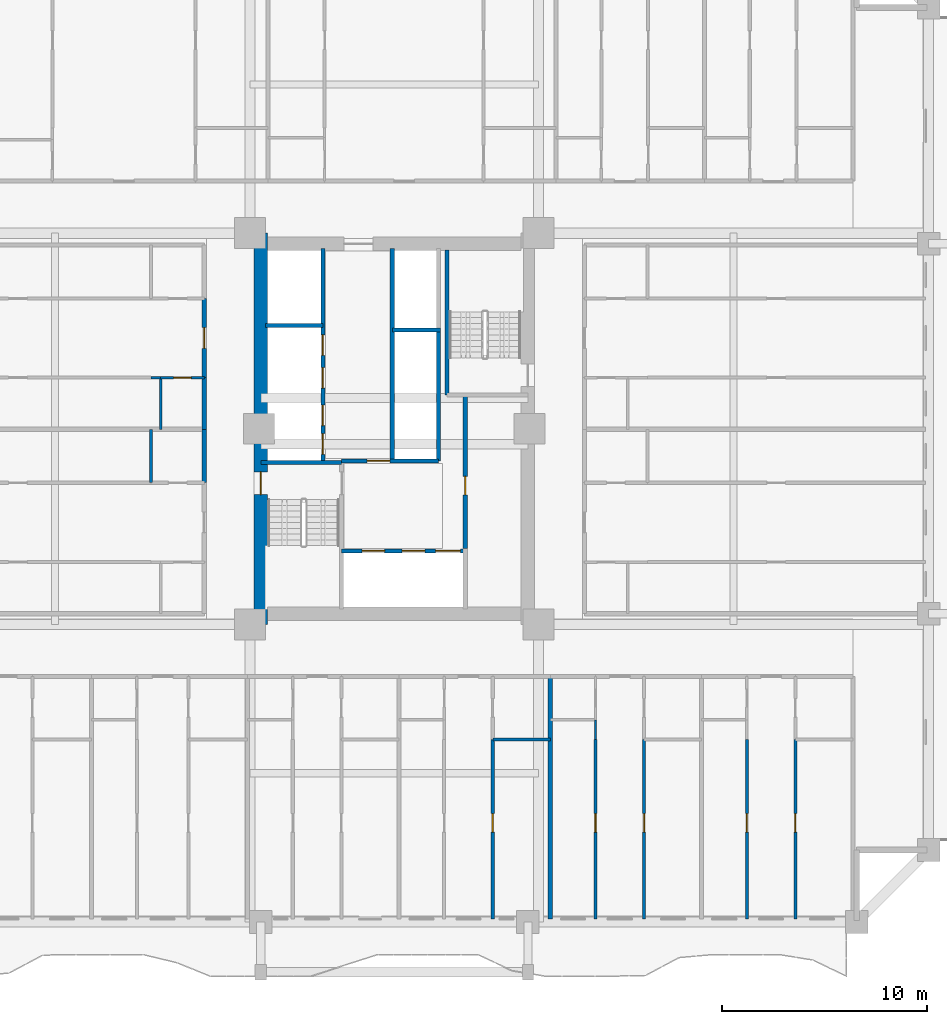
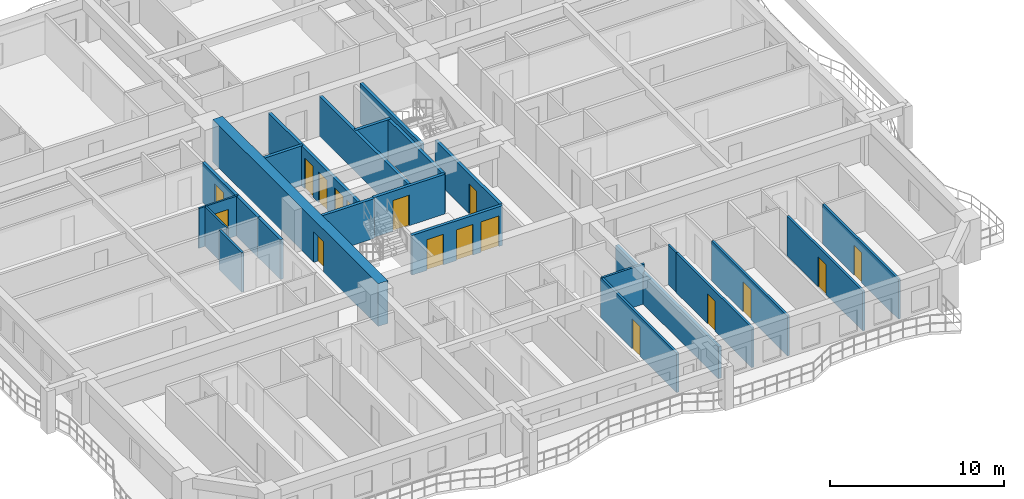
# One storey, part 5 of 17: 26 walls, 17 doors, 17 openings.
"""IFC4 building model written with IfcOpenShell, lengths in metres."""

from ifc_helpers import new_model, si_unit, direction, frame, frame_2d, origin, place, context, subcontext, project, spatial, rectangle, extrude, source, transform, mapped, material, layer, layer_set, type_object, element, fill, save


model = new_model("IFC4")

# Units and contexts
model_context = context("Model", 3, precision=1e-05, world=origin(), true_north=direction((0.0, 1.0)))
body_context = subcontext(model_context, "Body", "Model", "MODEL_VIEW")
ifc_project = project(units=[si_unit("LENGTHUNIT", "METRE"), si_unit("AREAUNIT", "SQUARE_METRE"), si_unit("VOLUMEUNIT", "CUBIC_METRE"), si_unit("PLANEANGLEUNIT", "RADIAN"), si_unit("MASSUNIT", "GRAM", prefix="KILO")], contexts=[model_context])

# Site, building, storey
site_placement = place(None, origin())
site = spatial("IfcSite", under=ifc_project, at=site_placement, CompositionType="ELEMENT")
building_placement = place(site_placement, origin())
building = spatial("IfcBuilding", under=site, at=building_placement, Name="Saelheon Loggia Tower", CompositionType="ELEMENT")
storey_placement = place(building_placement, frame((0.0, 0.0, 22.39990234375)))
storey = spatial("IfcBuildingStorey", under=building, at=storey_placement, Name="L06", CompositionType="ELEMENT", Elevation=22.39990234375)

# Wall, opening, door
ifc_material_1 = material(Name="Concrete C60/75", Category="concrete")
ifc_layer_1 = layer(ifc_material_1, 0.64990234375)
ifc_layer_set_1 = layer_set([ifc_layer_1], Name="Concrete C60/75")
wall_type_1 = type_object("IfcWallType", Name="Wall_CoreShear_650", PredefinedType="SHEAR", material=ifc_layer_set_1)
wall_1_placement = place(storey_placement, frame((31.5, 17.47998046875, 0.0), z_axis=(0.0, 0.0, 1.0), x_axis=(0.0, 1.0, 0.0)))
wall_1 = element("IfcWall", 1, at=wall_1_placement, inside=storey, type_object=wall_type_1, Name="L06 Core Shear Wall West", PredefinedType="SHEAR", context=body_context, shape_type="SweptSolid", body=[
    extrude(rectangle(XDim=19.0400390625, YDim=0.64990234375, at=frame_2d((9.52001953125, 0.0))), origin(), (0.0, 0.0, 1.0), 3.0),
])
opening_1_placement = place(wall_1_placement, frame((6.320068359375, 0.0, 0.0)))
opening_1 = element("IfcOpeningElement", 2, at=opening_1_placement, cuts=wall_1, Name="Opening D-FD2", PredefinedType="OPENING", context=body_context, shape_type="SweptSolid", body=[
    extrude(rectangle(XDim=1.10009765625, YDim=2.14990234375, at=frame_2d((0.550048828125, 1.074951171875))), frame((0.0, 0.3369140625, 0.0), z_axis=(0.0, -1.0, 0.0), x_axis=(1.0, 0.0, 0.0)), (0.0, 0.0, 1.0), 0.673828125),
])
ifc_material_2 = material(Name="Galvanised Steel Fire Door", Category="steel")
door_type_1 = type_object("IfcDoorType", Name="Door_Fire_FD60_1100", OperationType="NOTDEFINED", PredefinedType="DOOR", material=ifc_material_2)
shared_shape_1 = source(origin(), body_context, "Body", "SweptSolid", [
    extrude(rectangle(XDim=1.10009765625, YDim=2.14990234375, at=frame_2d((0.550048828125, 1.074951171875))), frame((0.0, 0.02490234375, 0.0), z_axis=(0.0, -1.0, 0.0), x_axis=(1.0, 0.0, 0.0)), (0.0, 0.0, 1.0), 0.050048828125),
])
door_1_placement = place(opening_1_placement, origin())
door_1 = element("IfcDoor", 3, at=door_1_placement, inside=storey, type_object=door_type_1, Name="L06 Stair ST1 Corridor Door", OperationType="SINGLE_SWING_LEFT", OverallHeight=2.14990234375, OverallWidth=1.10009765625, PredefinedType="DOOR", context=body_context, shape_type="MappedRepresentation", body=[
    mapped(shared_shape_1, transform((0.0, 0.0, 0.0), scale=1.0)),
])
fill(opening_1, door_1)

# Wall
ifc_material_3 = material(Name="Lightweight Autoclaved Aerated Concrete Block and Acoustic Gypsum", Category="concrete")
ifc_layer_2 = layer(ifc_material_3, 0.14990234375)
ifc_layer_set_2 = layer_set([ifc_layer_2], Name="Lightweight Autoclaved Aerated Concrete Block and Acoustic Gypsum")
wall_type_2 = type_object("IfcWallType", Name="Wall_Part_150", PredefinedType="PARTITIONING", material=ifc_layer_set_2)
wall_2_placement = place(storey_placement, frame((42.789794921875, 11.8798828125, 0.0), z_axis=(0.0, 0.0, 1.0), x_axis=(1.0, 0.0, 0.0)))
element("IfcWall", 4, at=wall_2_placement, inside=storey, type_object=wall_type_2, Name="L06 S Partition V40", PredefinedType="PARTITIONING", context=body_context, shape_type="SweptSolid", body=[
    extrude(rectangle(XDim=2.799072265625, YDim=0.14990234375, at=frame_2d((1.3994140625, 0.0))), origin(), (0.0, 0.0, 1.0), 2.7900390625),
])

# Wall, opening, door
wall_3_placement = place(storey_placement, frame((42.789794921875, 11.8798828125, 0.0), z_axis=(0.0, 0.0, 1.0), x_axis=(0.0, -1.0, 0.0)))
wall_3 = element("IfcWall", 5, at=wall_3_placement, inside=storey, type_object=wall_type_2, Name="L06 S Partition U45", PredefinedType="PARTITIONING", context=body_context, shape_type="SweptSolid", body=[
    extrude(rectangle(XDim=8.72998046875, YDim=0.14990234375, at=frame_2d((4.364990234375, 0.0))), origin(), (0.0, 0.0, 1.0), 2.7900390625),
])
opening_2_placement = place(wall_3_placement, frame((3.608642578125, 0.0, 0.0)))
opening_2 = element("IfcOpeningElement", 6, at=opening_2_placement, cuts=wall_3, Name="Opening D-IN2", PredefinedType="OPENING", context=body_context, shape_type="SweptSolid", body=[
    extrude(rectangle(XDim=0.89990234375, YDim=2.10009765625, at=frame_2d((0.449951171875, 1.050048828125))), frame((0.0, 0.0869140625, 0.0), z_axis=(0.0, -1.0, 0.0), x_axis=(1.0, 0.0, 0.0)), (0.0, 0.0, 1.0), 0.173828125),
])
ifc_material_4 = material(Name="Engineered Oak Flush Door", Category="timber")
door_type_2 = type_object("IfcDoorType", Name="Door_Int_900", OperationType="NOTDEFINED", PredefinedType="DOOR", material=ifc_material_4)
shared_shape_2 = source(origin(), body_context, "Body", "SweptSolid", [
    extrude(rectangle(XDim=0.89990234375, YDim=2.10009765625, at=frame_2d((0.449951171875, 1.050048828125))), frame((0.0, 0.02490234375, 0.0), z_axis=(0.0, -1.0, 0.0), x_axis=(1.0, 0.0, 0.0)), (0.0, 0.0, 1.0), 0.050048828125),
])
door_2_placement = place(opening_2_placement, origin())
door_2 = element("IfcDoor", 7, at=door_2_placement, inside=storey, type_object=door_type_2, Name="Unit U04 Bedroom 1 Door", OperationType="SINGLE_SWING_RIGHT", OverallHeight=2.10009765625, OverallWidth=0.89990234375, PredefinedType="DOOR", context=body_context, shape_type="MappedRepresentation", body=[
    mapped(shared_shape_2, transform((0.0, 0.0, 0.0), scale=1.0)),
])
fill(opening_2, door_2)

wall_4_placement = place(storey_placement, frame((47.788818359375, 11.8798828125, 0.0), z_axis=(0.0, 0.0, 1.0), x_axis=(0.0, -1.0, 0.0)))
wall_4 = element("IfcWall", 8, at=wall_4_placement, inside=storey, type_object=wall_type_2, Name="L06 S Partition U54", PredefinedType="PARTITIONING", context=body_context, shape_type="SweptSolid", body=[
    extrude(rectangle(XDim=8.72998046875, YDim=0.14990234375, at=frame_2d((4.364990234375, 0.0))), origin(), (0.0, 0.0, 1.0), 2.7900390625),
])
opening_3_placement = place(wall_4_placement, frame((3.608642578125, 0.0, 0.0)))
opening_3 = element("IfcOpeningElement", 9, at=opening_3_placement, cuts=wall_4, Name="Opening D-IN2", PredefinedType="OPENING", context=body_context, shape_type="SweptSolid", body=[
    extrude(rectangle(XDim=0.89990234375, YDim=2.10009765625, at=frame_2d((0.449951171875, 1.050048828125))), frame((0.0, 0.0869140625, 0.0), z_axis=(0.0, -1.0, 0.0), x_axis=(1.0, 0.0, 0.0)), (0.0, 0.0, 1.0), 0.173828125),
])
door_3_placement = place(opening_3_placement, origin())
door_3 = element("IfcDoor", 10, at=door_3_placement, inside=storey, type_object=door_type_2, Name="Unit U05 Kitchen Door", OperationType="SINGLE_SWING_LEFT", OverallHeight=2.10009765625, OverallWidth=0.89990234375, PredefinedType="DOOR", context=body_context, shape_type="MappedRepresentation", body=[
    mapped(shared_shape_2, transform((0.0, 0.0, 0.0), scale=1.0)),
])
fill(opening_3, door_3)

wall_5_placement = place(storey_placement, frame((50.155517578125, 11.8798828125, 0.0), z_axis=(0.0, 0.0, 1.0), x_axis=(0.0, -1.0, 0.0)))
wall_5 = element("IfcWall", 11, at=wall_5_placement, inside=storey, type_object=wall_type_2, Name="L06 S Partition U56", PredefinedType="PARTITIONING", context=body_context, shape_type="SweptSolid", body=[
    extrude(rectangle(XDim=8.72998046875, YDim=0.14990234375, at=frame_2d((4.364990234375, 0.0))), origin(), (0.0, 0.0, 1.0), 2.7900390625),
])
opening_4_placement = place(wall_5_placement, frame((3.608642578125, 0.0, 0.0)))
opening_4 = element("IfcOpeningElement", 12, at=opening_4_placement, cuts=wall_5, Name="Opening D-IN2", PredefinedType="OPENING", context=body_context, shape_type="SweptSolid", body=[
    extrude(rectangle(XDim=0.89990234375, YDim=2.10009765625, at=frame_2d((0.449951171875, 1.050048828125))), frame((0.0, 0.0869140625, 0.0), z_axis=(0.0, -1.0, 0.0), x_axis=(1.0, 0.0, 0.0)), (0.0, 0.0, 1.0), 0.173828125),
])
door_4_placement = place(opening_4_placement, origin())
door_4 = element("IfcDoor", 13, at=door_4_placement, inside=storey, type_object=door_type_2, Name="Unit U05 Bedroom 1 Door", OperationType="SINGLE_SWING_LEFT", OverallHeight=2.10009765625, OverallWidth=0.89990234375, PredefinedType="DOOR", context=body_context, shape_type="MappedRepresentation", body=[
    mapped(shared_shape_2, transform((0.0, 0.0, 0.0), scale=1.0)),
])
fill(opening_4, door_4)

wall_6_placement = place(storey_placement, frame((55.154296875, 11.8798828125, 0.0), z_axis=(0.0, 0.0, 1.0), x_axis=(0.0, -1.0, 0.0)))
wall_6 = element("IfcWall", 14, at=wall_6_placement, inside=storey, type_object=wall_type_2, Name="L06 S Partition U65", PredefinedType="PARTITIONING", context=body_context, shape_type="SweptSolid", body=[
    extrude(rectangle(XDim=8.72998046875, YDim=0.14990234375, at=frame_2d((4.364990234375, 0.0))), origin(), (0.0, 0.0, 1.0), 2.7900390625),
])
opening_5_placement = place(wall_6_placement, frame((3.608642578125, 0.0, 0.0)))
opening_5 = element("IfcOpeningElement", 15, at=opening_5_placement, cuts=wall_6, Name="Opening D-IN2", PredefinedType="OPENING", context=body_context, shape_type="SweptSolid", body=[
    extrude(rectangle(XDim=0.89990234375, YDim=2.10009765625, at=frame_2d((0.449951171875, 1.050048828125))), frame((0.0, 0.0869140625, 0.0), z_axis=(0.0, -1.0, 0.0), x_axis=(1.0, 0.0, 0.0)), (0.0, 0.0, 1.0), 0.173828125),
])
door_5_placement = place(opening_5_placement, origin())
door_5 = element("IfcDoor", 16, at=door_5_placement, inside=storey, type_object=door_type_2, Name="Unit U06 Kitchen Door", OperationType="SINGLE_SWING_RIGHT", OverallHeight=2.10009765625, OverallWidth=0.89990234375, PredefinedType="DOOR", context=body_context, shape_type="MappedRepresentation", body=[
    mapped(shared_shape_2, transform((0.0, 0.0, 0.0), scale=1.0)),
])
fill(opening_5, door_5)

wall_7_placement = place(storey_placement, frame((57.52099609375, 11.8798828125, 0.0), z_axis=(0.0, 0.0, 1.0), x_axis=(0.0, -1.0, 0.0)))
wall_7 = element("IfcWall", 17, at=wall_7_placement, inside=storey, type_object=wall_type_2, Name="L06 S Partition U67", PredefinedType="PARTITIONING", context=body_context, shape_type="SweptSolid", body=[
    extrude(rectangle(XDim=8.72998046875, YDim=0.14990234375, at=frame_2d((4.364990234375, 0.0))), origin(), (0.0, 0.0, 1.0), 2.7900390625),
])
opening_6_placement = place(wall_7_placement, frame((3.608642578125, 0.0, 0.0)))
opening_6 = element("IfcOpeningElement", 18, at=opening_6_placement, cuts=wall_7, Name="Opening D-IN2", PredefinedType="OPENING", context=body_context, shape_type="SweptSolid", body=[
    extrude(rectangle(XDim=0.89990234375, YDim=2.10009765625, at=frame_2d((0.449951171875, 1.050048828125))), frame((0.0, 0.0869140625, 0.0), z_axis=(0.0, -1.0, 0.0), x_axis=(1.0, 0.0, 0.0)), (0.0, 0.0, 1.0), 0.173828125),
])
door_6_placement = place(opening_6_placement, origin())
door_6 = element("IfcDoor", 19, at=door_6_placement, inside=storey, type_object=door_type_2, Name="Unit U06 Bedroom 1 Door", OperationType="SINGLE_SWING_RIGHT", OverallHeight=2.10009765625, OverallWidth=0.89990234375, PredefinedType="DOOR", context=body_context, shape_type="MappedRepresentation", body=[
    mapped(shared_shape_2, transform((0.0, 0.0, 0.0), scale=1.0)),
])
fill(opening_6, door_6)

# Walls
wall_8_placement = place(storey_placement, frame((26.159912109375, 24.375, 0.0), z_axis=(0.0, 0.0, 1.0), x_axis=(0.0, 1.0, 0.0)))
element("IfcWall", 20, at=wall_8_placement, inside=storey, type_object=wall_type_2, Name="L06 W Partition V07", PredefinedType="PARTITIONING", context=body_context, shape_type="SweptSolid", body=[
    extrude(rectangle(XDim=2.60009765625, YDim=0.14990234375, at=frame_2d((1.300048828125, 0.0))), origin(), (0.0, 0.0, 1.0), 2.7900390625),
])
ifc_material_5 = material(Name="Double Acoustic Stud and Fireboard Partition", Category="gypsum")
ifc_layer_3 = layer(ifc_material_5, 0.199951171875)
ifc_layer_set_3 = layer_set([ifc_layer_3], Name="Double Acoustic Stud and Fireboard Partition")
wall_type_3 = type_object("IfcWallType", Name="Wall_Party_200", PredefinedType="PARTITIONING", material=ifc_layer_set_3)
wall_9_placement = place(storey_placement, frame((45.5888671875, 14.949951171875, 0.0), z_axis=(0.0, 0.0, 1.0), x_axis=(0.0, -1.0, 0.0)))
element("IfcWall", 21, at=wall_9_placement, inside=storey, type_object=wall_type_3, Name="L06 S Partition U46", PredefinedType="PARTITIONING", context=body_context, shape_type="SweptSolid", body=[
    extrude(rectangle(XDim=11.800048828125, YDim=0.199951171875, at=frame_2d((5.89990234375, 0.0))), origin(), (0.0, 0.0, 1.0), 2.239990234375),
])
wall_10_placement = place(storey_placement, frame((28.75, 24.375, 0.0), z_axis=(0.0, 0.0, 1.0), x_axis=(0.0, 1.0, 0.0)))
element("IfcWall", 22, at=wall_10_placement, inside=storey, type_object=wall_type_3, Name="L06 W Partition V05", PredefinedType="PARTITIONING", context=body_context, shape_type="SweptSolid", body=[
    extrude(rectangle(XDim=2.60009765625, YDim=0.199951171875, at=frame_2d((1.300048828125, 0.0))), origin(), (0.0, 0.0, 1.0), 2.7900390625),
])
wall_11_placement = place(storey_placement, frame((28.75, 26.97509765625, 0.0), z_axis=(0.0, 0.0, 1.0), x_axis=(0.0, 1.0, 0.0)))
element("IfcWall", 23, at=wall_11_placement, inside=storey, type_object=wall_type_3, Name="L06 W Partition V14", PredefinedType="PARTITIONING", context=body_context, shape_type="SweptSolid", body=[
    extrude(rectangle(XDim=2.512939453125, YDim=0.199951171875, at=frame_2d((1.25634765625, 0.0))), origin(), (0.0, 0.0, 1.0), 2.7900390625),
])

# Wall, opening, door
wall_12_placement = place(storey_placement, frame((28.75, 29.488037109375, 0.0), z_axis=(0.0, 0.0, 1.0), x_axis=(0.0, 1.0, 0.0)))
wall_12 = element("IfcWall", 24, at=wall_12_placement, inside=storey, type_object=wall_type_3, Name="L06 W Partition V15", PredefinedType="PARTITIONING", context=body_context, shape_type="SweptSolid", body=[
    extrude(rectangle(XDim=3.862060546875, YDim=0.199951171875, at=frame_2d((1.93115234375, 0.0))), origin(), (0.0, 0.0, 1.0), 2.7900390625),
])
opening_7_placement = place(wall_12_placement, frame((1.430908203125, 0.0, 0.0)))
opening_7 = element("IfcOpeningElement", 25, at=opening_7_placement, cuts=wall_12, Name="Opening D-FD1", PredefinedType="OPENING", context=body_context, shape_type="SweptSolid", body=[
    extrude(rectangle(XDim=1.0, YDim=2.14990234375, at=frame_2d((0.5, 1.074951171875))), frame((0.0, 0.112060546875, 0.0), z_axis=(0.0, -1.0, 0.0), x_axis=(1.0, 0.0, 0.0)), (0.0, 0.0, 1.0), 0.223876953125),
])
ifc_material_6 = material(Name="Fire-Rated Engineered Timber Entrance Door", Category="wood")
door_type_3 = type_object("IfcDoorType", Name="Door_Flat_FD30S", OperationType="NOTDEFINED", PredefinedType="DOOR", material=ifc_material_6)
shared_shape_3 = source(origin(), body_context, "Body", "SweptSolid", [
    extrude(rectangle(XDim=1.0, YDim=2.14990234375, at=frame_2d((0.5, 1.074951171875))), frame((0.0, 0.02490234375, 0.0), z_axis=(0.0, -1.0, 0.0), x_axis=(1.0, 0.0, 0.0)), (0.0, 0.0, 1.0), 0.050048828125),
])
door_7_placement = place(opening_7_placement, origin())
door_7 = element("IfcDoor", 26, at=door_7_placement, inside=storey, type_object=door_type_3, Name="Unit U12 Entrance Door", OperationType="SINGLE_SWING_LEFT", OverallHeight=2.14990234375, OverallWidth=1.0, PredefinedType="DOOR", context=body_context, shape_type="MappedRepresentation", body=[
    mapped(shared_shape_3, transform((0.0, 0.0, 0.0), scale=1.0)),
])
fill(opening_7, door_7)

ifc_material_7 = material(Name="Concrete C40/50", Category="concrete")
ifc_layer_4 = layer(ifc_material_7, 0.199951171875)
ifc_layer_set_4 = layer_set([ifc_layer_4], Name="Concrete C40/50")
wall_type_4 = type_object("IfcWallType", Name="Wall_Shaft_200", PredefinedType="PARTITIONING", material=ifc_layer_set_4)
wall_13_placement = place(storey_placement, frame((41.449951171875, 21.179931640625, 0.0), z_axis=(0.0, 0.0, 1.0), x_axis=(0.0, 1.0, 0.0)))
wall_13 = element("IfcWall", 27, at=wall_13_placement, inside=storey, type_object=wall_type_4, Name="CW-INT-L06-BOH-W1", PredefinedType="PARTITIONING", context=body_context, shape_type="SweptSolid", body=[
    extrude(rectangle(XDim=7.420166015625, YDim=0.199951171875, at=frame_2d((3.7099609375, 0.0))), origin(), (0.0, 0.0, 1.0), 2.7900390625),
])
opening_8_placement = place(wall_13_placement, frame((2.60009765625, 0.0, 0.0)))
opening_8 = element("IfcOpeningElement", 28, at=opening_8_placement, cuts=wall_13, Name="Opening D-RS1", PredefinedType="OPENING", context=body_context, shape_type="SweptSolid", body=[
    extrude(rectangle(XDim=0.89990234375, YDim=2.10009765625, at=frame_2d((0.449951171875, 1.050048828125))), frame((0.0, 0.112060546875, 0.0), z_axis=(0.0, -1.0, 0.0), x_axis=(1.0, 0.0, 0.0)), (0.0, 0.0, 1.0), 0.223876953125),
])
ifc_material_8 = material(Name="Galvanised Steel Riser Access Door", Category="steel")
door_type_4 = type_object("IfcDoorType", Name="Door_Riser_FD60", OperationType="NOTDEFINED", PredefinedType="DOOR", material=ifc_material_8)
door_8_placement = place(opening_8_placement, origin())
door_8 = element("IfcDoor", 29, at=door_8_placement, inside=storey, type_object=door_type_4, Name="L06 Core Service Store Door", OperationType="SINGLE_SWING_RIGHT", OverallHeight=2.10009765625, OverallWidth=0.89990234375, PredefinedType="DOOR", context=body_context, shape_type="MappedRepresentation", body=[
    mapped(shared_shape_2, transform((0.0, 0.0, 0.0), scale=1.0)),
])
fill(opening_8, door_8)

# Wall
wall_14_placement = place(storey_placement, frame((40.14990234375, 25.43994140625, 0.0), z_axis=(0.0, 0.0, 1.0), x_axis=(0.0, 1.0, 0.0)))
element("IfcWall", 30, at=wall_14_placement, inside=storey, type_object=wall_type_4, Name="L06 Core Service Passage West Wall", PredefinedType="PARTITIONING", context=body_context, shape_type="SweptSolid", body=[
    extrude(rectangle(XDim=6.360107421875, YDim=0.199951171875, at=frame_2d((3.18017578125, 0.0))), origin(), (0.0, 0.0, 1.0), 2.7900390625),
])

# Wall, openings, doors
wall_15_placement = place(storey_placement, frame((35.429931640625, 21.06005859375, 0.0), z_axis=(0.0, 0.0, 1.0), x_axis=(1.0, 0.0, 0.0)))
wall_15 = element("IfcWall", 31, at=wall_15_placement, inside=storey, type_object=wall_type_4, Name="L06 Firefighting Lift Shaft Front Wall", PredefinedType="PARTITIONING", context=body_context, shape_type="SweptSolid", body=[
    extrude(rectangle(XDim=6.02001953125, YDim=0.199951171875, at=frame_2d((3.010009765625, 0.0))), origin(), (0.0, 0.0, 1.0), 2.7900390625),
])
opening_9_placement = place(wall_15_placement, frame((1.0, 0.0, 0.0)))
opening_9 = element("IfcOpeningElement", 32, at=opening_9_placement, cuts=wall_15, Name="Opening LD2", PredefinedType="OPENING", context=body_context, shape_type="SweptSolid", body=[
    extrude(rectangle(XDim=1.10009765625, YDim=2.14990234375, at=frame_2d((0.550048828125, 1.074951171875))), frame((0.0, 0.112060546875, 0.0), z_axis=(0.0, -1.0, 0.0), x_axis=(1.0, 0.0, 0.0)), (0.0, 0.0, 1.0), 0.223876953125),
])
opening_10_placement = place(wall_15_placement, frame((2.949951171875, 0.0, 0.0)))
opening_10 = element("IfcOpeningElement", 33, at=opening_10_placement, cuts=wall_15, Name="Opening LD2", PredefinedType="OPENING", context=body_context, shape_type="SweptSolid", body=[
    extrude(rectangle(XDim=1.10009765625, YDim=2.14990234375, at=frame_2d((0.550048828125, 1.074951171875))), frame((0.0, 0.112060546875, 0.0), z_axis=(0.0, -1.0, 0.0), x_axis=(1.0, 0.0, 0.0)), (0.0, 0.0, 1.0), 0.223876953125),
])
opening_11_placement = place(wall_15_placement, frame((4.580078125, 0.0, 0.0)))
opening_11 = element("IfcOpeningElement", 34, at=opening_11_placement, cuts=wall_15, Name="Opening LD3", PredefinedType="OPENING", context=body_context, shape_type="SweptSolid", body=[
    extrude(rectangle(XDim=1.199951171875, YDim=2.14990234375, at=frame_2d((0.60009765625, 1.074951171875))), frame((0.0, 0.112060546875, 0.0), z_axis=(0.0, -1.0, 0.0), x_axis=(1.0, 0.0, 0.0)), (0.0, 0.0, 1.0), 0.223876953125),
])
ifc_material_9 = material(Name="Firefighting Stainless Steel 316 Landing Door", Category="steel")
door_type_5 = type_object("IfcDoorType", Name="Door_Lift_LD2", OperationType="DOUBLE_DOOR_SLIDING", PredefinedType="DOOR", material=ifc_material_9)
door_9_placement = place(opening_9_placement, origin())
door_9 = element("IfcDoor", 35, at=door_9_placement, inside=storey, type_object=door_type_5, Name="L06 FF1 Landing Door", OperationType="DOUBLE_DOOR_SLIDING", OverallHeight=2.14990234375, OverallWidth=1.10009765625, PredefinedType="DOOR", context=body_context, shape_type="MappedRepresentation", body=[
    mapped(shared_shape_1, transform((0.0, 0.0, 0.0), scale=1.0)),
])
fill(opening_9, door_9)
door_10_placement = place(opening_10_placement, origin())
door_10 = element("IfcDoor", 36, at=door_10_placement, inside=storey, type_object=door_type_5, Name="L06 FF2 Landing Door", OperationType="DOUBLE_DOOR_SLIDING", OverallHeight=2.14990234375, OverallWidth=1.10009765625, PredefinedType="DOOR", context=body_context, shape_type="MappedRepresentation", body=[
    mapped(shared_shape_1, transform((0.0, 0.0, 0.0), scale=1.0)),
])
fill(opening_10, door_10)
ifc_material_10 = material(Name="Stretcher Lift Stainless Steel 304 Landing Door", Category="steel")
door_type_6 = type_object("IfcDoorType", Name="Door_Lift_LD3", OperationType="DOUBLE_DOOR_SLIDING", PredefinedType="DOOR", material=ifc_material_10)
shared_shape_4 = source(origin(), body_context, "Body", "SweptSolid", [
    extrude(rectangle(XDim=1.199951171875, YDim=2.14990234375, at=frame_2d((0.60009765625, 1.074951171875))), frame((0.0, 0.02490234375, 0.0), z_axis=(0.0, -1.0, 0.0), x_axis=(1.0, 0.0, 0.0)), (0.0, 0.0, 1.0), 0.050048828125),
])
door_11_placement = place(opening_11_placement, origin())
door_11 = element("IfcDoor", 37, at=door_11_placement, inside=storey, type_object=door_type_6, Name="L06 SV1 Landing Door", OperationType="DOUBLE_DOOR_SLIDING", OverallHeight=2.14990234375, OverallWidth=1.199951171875, PredefinedType="DOOR", context=body_context, shape_type="MappedRepresentation", body=[
    mapped(shared_shape_4, transform((0.0, 0.0, 0.0), scale=1.0)),
])
fill(opening_11, door_11)

# Wall, opening, door
wall_16_placement = place(storey_placement, frame((35.429931640625, 25.43994140625, 0.0), z_axis=(0.0, 0.0, 1.0), x_axis=(1.0, 0.0, 0.0)))
wall_16 = element("IfcWall", 38, at=wall_16_placement, inside=storey, type_object=wall_type_4, Name="L06 Firefighting Lobby Compartment Wall", PredefinedType="PARTITIONING", context=body_context, shape_type="SweptSolid", body=[
    extrude(rectangle(XDim=4.719970703125, YDim=0.199951171875, at=frame_2d((2.35986328125, 0.0))), origin(), (0.0, 0.0, 1.0), 2.7900390625),
])
opening_12_placement = place(wall_16_placement, frame((1.25, 0.0, 0.0)))
opening_12 = element("IfcOpeningElement", 39, at=opening_12_placement, cuts=wall_16, Name="Opening D-FD2", PredefinedType="OPENING", context=body_context, shape_type="SweptSolid", body=[
    extrude(rectangle(XDim=1.10009765625, YDim=2.14990234375, at=frame_2d((0.550048828125, 1.074951171875))), frame((0.0, 0.112060546875, 0.0), z_axis=(0.0, -1.0, 0.0), x_axis=(1.0, 0.0, 0.0)), (0.0, 0.0, 1.0), 0.223876953125),
])
door_12_placement = place(opening_12_placement, origin())
door_12 = element("IfcDoor", 40, at=door_12_placement, inside=storey, type_object=door_type_1, Name="L06 Firefighting Lobby Door", OperationType="SINGLE_SWING_LEFT", OverallHeight=2.14990234375, OverallWidth=1.10009765625, PredefinedType="DOOR", context=body_context, shape_type="MappedRepresentation", body=[
    mapped(shared_shape_1, transform((0.0, 0.0, 0.0), scale=1.0)),
])
fill(opening_12, door_12)

# Wall, openings, doors
wall_17_placement = place(storey_placement, frame((34.52001953125, 25.43994140625, 0.0), z_axis=(0.0, 0.0, 1.0), x_axis=(0.0, 1.0, 0.0)))
wall_17 = element("IfcWall", 41, at=wall_17_placement, inside=storey, type_object=wall_type_4, Name="L06 West Passenger Lift Bank Wall", PredefinedType="PARTITIONING", context=body_context, shape_type="SweptSolid", body=[
    extrude(rectangle(XDim=10.340087890625, YDim=0.199951171875, at=frame_2d((5.169921875, 0.0))), origin(), (0.0, 0.0, 1.0), 2.7900390625),
])
opening_13_placement = place(wall_17_placement, frame((0.320068359375, 0.0, 0.0)))
opening_13 = element("IfcOpeningElement", 42, at=opening_13_placement, cuts=wall_17, Name="Opening LD1", PredefinedType="OPENING", context=body_context, shape_type="SweptSolid", body=[
    extrude(rectangle(XDim=1.0, YDim=2.14990234375, at=frame_2d((0.5, 1.074951171875))), frame((0.0, 0.112060546875, 0.0), z_axis=(0.0, -1.0, 0.0), x_axis=(1.0, 0.0, 0.0)), (0.0, 0.0, 1.0), 0.223876953125),
])
opening_14_placement = place(wall_17_placement, frame((1.7099609375, 0.0, 0.0)))
opening_14 = element("IfcOpeningElement", 43, at=opening_14_placement, cuts=wall_17, Name="Opening LD1", PredefinedType="OPENING", context=body_context, shape_type="SweptSolid", body=[
    extrude(rectangle(XDim=1.0, YDim=2.14990234375, at=frame_2d((0.5, 1.074951171875))), frame((0.0, 0.112060546875, 0.0), z_axis=(0.0, -1.0, 0.0), x_axis=(1.0, 0.0, 0.0)), (0.0, 0.0, 1.0), 0.223876953125),
])
opening_15_placement = place(wall_17_placement, frame((3.534912109375, 0.0, 0.0)))
opening_15 = element("IfcOpeningElement", 44, at=opening_15_placement, cuts=wall_17, Name="Opening LD1", PredefinedType="OPENING", context=body_context, shape_type="SweptSolid", body=[
    extrude(rectangle(XDim=1.0, YDim=2.14990234375, at=frame_2d((0.5, 1.074951171875))), frame((0.0, 0.112060546875, 0.0), z_axis=(0.0, -1.0, 0.0), x_axis=(1.0, 0.0, 0.0)), (0.0, 0.0, 1.0), 0.223876953125),
])
opening_16_placement = place(wall_17_placement, frame((5.135009765625, 0.0, 0.0)))
opening_16 = element("IfcOpeningElement", 45, at=opening_16_placement, cuts=wall_17, Name="Opening LD1", PredefinedType="OPENING", context=body_context, shape_type="SweptSolid", body=[
    extrude(rectangle(XDim=1.0, YDim=2.14990234375, at=frame_2d((0.5, 1.074951171875))), frame((0.0, 0.112060546875, 0.0), z_axis=(0.0, -1.0, 0.0), x_axis=(1.0, 0.0, 0.0)), (0.0, 0.0, 1.0), 0.223876953125),
])
ifc_material_11 = material(Name="Brushed Stainless Steel 304 Landing Door", Category="steel")
door_type_7 = type_object("IfcDoorType", Name="Door_Lift_LD1", OperationType="DOUBLE_DOOR_SLIDING", PredefinedType="DOOR", material=ifc_material_11)
door_13_placement = place(opening_13_placement, origin())
door_13 = element("IfcDoor", 46, at=door_13_placement, inside=storey, type_object=door_type_7, Name="L06 PL1 Landing Door", OperationType="DOUBLE_DOOR_SLIDING", OverallHeight=2.14990234375, OverallWidth=1.0, PredefinedType="DOOR", context=body_context, shape_type="MappedRepresentation", body=[
    mapped(shared_shape_3, transform((0.0, 0.0, 0.0), scale=1.0)),
])
fill(opening_13, door_13)
door_14_placement = place(opening_14_placement, origin())
door_14 = element("IfcDoor", 47, at=door_14_placement, inside=storey, type_object=door_type_7, Name="L06 PL2 Landing Door", OperationType="DOUBLE_DOOR_SLIDING", OverallHeight=2.14990234375, OverallWidth=1.0, PredefinedType="DOOR", context=body_context, shape_type="MappedRepresentation", body=[
    mapped(shared_shape_3, transform((0.0, 0.0, 0.0), scale=1.0)),
])
fill(opening_14, door_14)
door_15_placement = place(opening_15_placement, origin())
door_15 = element("IfcDoor", 48, at=door_15_placement, inside=storey, type_object=door_type_7, Name="L06 PL3 Landing Door", OperationType="DOUBLE_DOOR_SLIDING", OverallHeight=2.14990234375, OverallWidth=1.0, PredefinedType="DOOR", context=body_context, shape_type="MappedRepresentation", body=[
    mapped(shared_shape_3, transform((0.0, 0.0, 0.0), scale=1.0)),
])
fill(opening_15, door_15)
door_16_placement = place(opening_16_placement, origin())
door_16 = element("IfcDoor", 49, at=door_16_placement, inside=storey, type_object=door_type_7, Name="L06 PL4 Landing Door", OperationType="DOUBLE_DOOR_SLIDING", OverallHeight=2.14990234375, OverallWidth=1.0, PredefinedType="DOOR", context=body_context, shape_type="MappedRepresentation", body=[
    mapped(shared_shape_3, transform((0.0, 0.0, 0.0), scale=1.0)),
])
fill(opening_16, door_16)

# Walls
wall_18_placement = place(storey_placement, frame((31.719970703125, 32.02001953125, 0.0), z_axis=(0.0, 0.0, 1.0), x_axis=(1.0, 0.0, 0.0)))
element("IfcWall", 50, at=wall_18_placement, inside=storey, type_object=wall_type_4, Name="L06 West High-Rise Shaft Divider", PredefinedType="PARTITIONING", context=body_context, shape_type="SweptSolid", body=[
    extrude(rectangle(XDim=2.800048828125, YDim=0.199951171875, at=frame_2d((1.39990234375, 0.0))), origin(), (0.0, 0.0, 1.0), 2.7900390625),
])
wall_19_placement = place(storey_placement, frame((37.89990234375, 25.43994140625, 0.0), z_axis=(0.0, 0.0, 1.0), x_axis=(0.0, 1.0, 0.0)))
element("IfcWall", 51, at=wall_19_placement, inside=storey, type_object=wall_type_4, Name="L06 East Passenger Lift Bank Wall", PredefinedType="PARTITIONING", context=body_context, shape_type="SweptSolid", body=[
    extrude(rectangle(XDim=10.340087890625, YDim=0.199951171875, at=frame_2d((5.169921875, 0.0))), origin(), (0.0, 0.0, 1.0), 2.7900390625),
])
wall_20_placement = place(storey_placement, frame((37.89990234375, 31.800048828125, 0.0), z_axis=(0.0, 0.0, 1.0), x_axis=(1.0, 0.0, 0.0)))
element("IfcWall", 52, at=wall_20_placement, inside=storey, type_object=wall_type_4, Name="L06 East High-Rise Shaft Divider", PredefinedType="PARTITIONING", context=body_context, shape_type="SweptSolid", body=[
    extrude(rectangle(XDim=2.35009765625, YDim=0.199951171875, at=frame_2d((1.175048828125, 0.0))), origin(), (0.0, 0.0, 1.0), 2.7900390625),
])
ifc_material_12 = material(Name="Concrete C45/55", Category="concrete")
ifc_layer_5 = layer(ifc_material_12, 0.199951171875)
ifc_layer_set_5 = layer_set([ifc_layer_5], Name="Concrete C45/55")
wall_type_5 = type_object("IfcWallType", Name="Wall_StairShaft_RC200", PredefinedType="SOLIDWALL", material=ifc_layer_set_5)
wall_21_placement = place(storey_placement, frame((31.5, 25.35009765625, 0.0), z_axis=(0.0, 0.0, 1.0), x_axis=(1.0, 0.0, 0.0)))
element("IfcWall", 53, at=wall_21_placement, inside=storey, type_object=wall_type_5, Name="L06 Stair ST1 North Wall", PredefinedType="SOLIDWALL", context=body_context, shape_type="SweptSolid", body=[
    extrude(rectangle(XDim=3.929931640625, YDim=0.199951171875, at=frame_2d((1.96484375, 0.0))), origin(), (0.0, 0.0, 1.0), 2.7900390625),
])
wall_22_placement = place(storey_placement, frame((40.570068359375, 28.64990234375, 0.0), z_axis=(0.0, 0.0, 1.0), x_axis=(0.0, 1.0, 0.0)))
element("IfcWall", 54, at=wall_22_placement, inside=storey, type_object=wall_type_5, Name="L06 Stair ST2 Shaft Wall", PredefinedType="SOLIDWALL", context=body_context, shape_type="SweptSolid", body=[
    extrude(rectangle(XDim=7.050048828125, YDim=0.199951171875, at=frame_2d((3.52490234375, 0.0))), origin(), (0.0, 0.0, 1.0), 2.7900390625),
])
ifc_material_13 = material(Name="Moisture-Resistant Cement Board Partition", Category="gypsum")
ifc_layer_6 = layer(ifc_material_13, 0.1201171875)
ifc_layer_set_6 = layer_set([ifc_layer_6], Name="Moisture-Resistant Cement Board Partition")
wall_type_6 = type_object("IfcWallType", Name="Wall_WetPart_120", PredefinedType="PARTITIONING", material=ifc_layer_set_6)
wall_23_placement = place(storey_placement, frame((47.788818359375, 12.830078125, 0.0), z_axis=(0.0, 0.0, 1.0), x_axis=(0.0, -1.0, 0.0)))
element("IfcWall", 55, at=wall_23_placement, inside=storey, type_object=wall_type_6, Name="L06 S Partition U53", PredefinedType="PARTITIONING", context=body_context, shape_type="SweptSolid", body=[
    extrude(rectangle(XDim=0.9501953125, YDim=0.1201171875, at=frame_2d((0.47509765625, 0.0))), origin(), (0.0, 0.0, 1.0), 2.7900390625),
])
wall_24_placement = place(storey_placement, frame((26.6298828125, 26.97509765625, 0.0), z_axis=(0.0, 0.0, 1.0), x_axis=(0.0, 1.0, 0.0)))
element("IfcWall", 56, at=wall_24_placement, inside=storey, type_object=wall_type_6, Name="L06 W Partition V17", PredefinedType="PARTITIONING", context=body_context, shape_type="SweptSolid", body=[
    extrude(rectangle(XDim=2.512939453125, YDim=0.1201171875, at=frame_2d((1.25634765625, 0.0))), origin(), (0.0, 0.0, 1.0), 2.7900390625),
])

# Wall, opening, door
wall_25_placement = place(storey_placement, frame((28.75, 29.488037109375, 0.0), z_axis=(0.0, 0.0, 1.0), x_axis=(-1.0, 0.0, 0.0)))
wall_25 = element("IfcWall", 57, at=wall_25_placement, inside=storey, type_object=wall_type_6, Name="L06 W Partition U19", PredefinedType="PARTITIONING", context=body_context, shape_type="SweptSolid", body=[
    extrude(rectangle(XDim=2.1201171875, YDim=0.1201171875, at=frame_2d((1.06005859375, 0.0))), origin(), (0.0, 0.0, 1.0), 2.7900390625),
])
opening_17_placement = place(wall_25_placement, frame((0.635009765625, 0.0, 0.0)))
opening_17 = element("IfcOpeningElement", 58, at=opening_17_placement, cuts=wall_25, Name="Opening D-BT1", PredefinedType="OPENING", context=body_context, shape_type="SweptSolid", body=[
    extrude(rectangle(XDim=0.85009765625, YDim=2.050048828125, at=frame_2d((0.425048828125, 1.02490234375))), frame((0.0, 0.072021484375, 0.0), z_axis=(0.0, -1.0, 0.0), x_axis=(1.0, 0.0, 0.0)), (0.0, 0.0, 1.0), 0.14404296875),
])
ifc_material_14 = material(Name="Moisture-Resistant Laminate Timber Door", Category="wood")
door_type_8 = type_object("IfcDoorType", Name="Door_Bath_850", OperationType="NOTDEFINED", PredefinedType="DOOR", material=ifc_material_14)
shared_shape_5 = source(origin(), body_context, "Body", "SweptSolid", [
    extrude(rectangle(XDim=0.85009765625, YDim=2.050048828125, at=frame_2d((0.425048828125, 1.02490234375))), frame((0.0, 0.02490234375, 0.0), z_axis=(0.0, -1.0, 0.0), x_axis=(1.0, 0.0, 0.0)), (0.0, 0.0, 1.0), 0.050048828125),
])
door_17_placement = place(opening_17_placement, origin())
door_17 = element("IfcDoor", 59, at=door_17_placement, inside=storey, type_object=door_type_8, Name="Unit U12 Bathroom Door", OperationType="SINGLE_SWING_RIGHT", OverallHeight=2.050048828125, OverallWidth=0.85009765625, PredefinedType="DOOR", context=body_context, shape_type="MappedRepresentation", body=[
    mapped(shared_shape_5, transform((0.0, 0.0, 0.0), scale=1.0)),
])
fill(opening_17, door_17)

# Wall
wall_26_placement = place(storey_placement, frame((26.6298828125, 29.488037109375, 0.0), z_axis=(0.0, 0.0, 1.0), x_axis=(-1.0, 0.0, 0.0)))
element("IfcWall", 60, at=wall_26_placement, inside=storey, type_object=wall_type_6, Name="L06 W Partition U20", PredefinedType="PARTITIONING", context=body_context, shape_type="SweptSolid", body=[
    extrude(rectangle(XDim=0.469970703125, YDim=0.1201171875, at=frame_2d((0.23486328125, 0.0))), origin(), (0.0, 0.0, 1.0), 2.7900390625),
])

save(model, "model.ifc")
